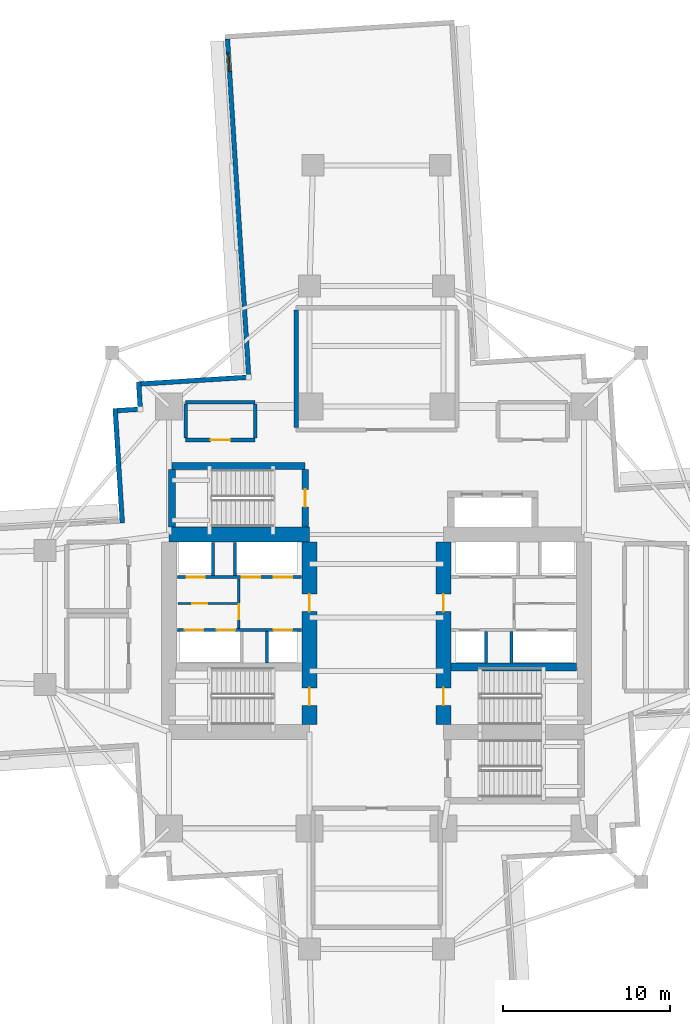
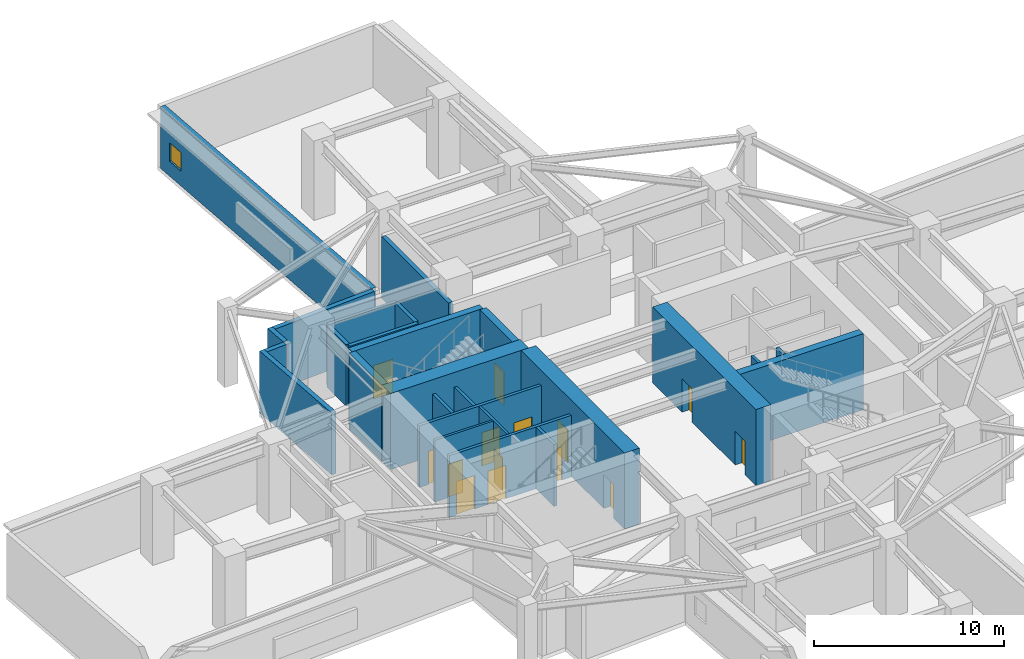
# One storey, part 4 of 11: 26 walls, 14 doors, 1 window, 15 openings.
"""IFC4 building model written with IfcOpenShell, lengths in metres."""

from ifc_helpers import new_model, si_unit, direction, frame, frame_2d, origin, place, context, subcontext, project, spatial, rectangle, extrude, material, layer, layer_set, type_object, element, fill, save


model = new_model("IFC4")

# Units and contexts
model_context = context("Model", 3, precision=1e-05, world=origin(), true_north=direction((0.0, 1.0)))
body_context = subcontext(model_context, "Body", "Model", "MODEL_VIEW")
ifc_project = project(units=[si_unit("LENGTHUNIT", "METRE"), si_unit("AREAUNIT", "SQUARE_METRE"), si_unit("VOLUMEUNIT", "CUBIC_METRE"), si_unit("PLANEANGLEUNIT", "RADIAN"), si_unit("MASSUNIT", "GRAM", prefix="KILO")], contexts=[model_context])

# Site, building, storey
site_placement = place(None, origin())
site = spatial("IfcSite", under=ifc_project, at=site_placement, CompositionType="ELEMENT")
building_placement = place(site_placement, origin())
building = spatial("IfcBuilding", under=site, at=building_placement, Name="Qingluan Cross Belvedere", CompositionType="ELEMENT")
storey_placement = place(building_placement, frame((0.0, 0.0, 47.10009765625)))
storey = spatial("IfcBuildingStorey", under=building, at=storey_placement, Name="L12", CompositionType="ELEMENT", Elevation=47.10009765625)

# Walls
ifc_material_1 = material(Name="Concrete C50", Category="concrete")
ifc_layer_1 = layer(ifc_material_1, 0.449951171875, Name="CoreShearWall_450")
ifc_layer_set_1 = layer_set([ifc_layer_1], Name="Concrete C50")
wall_type_1 = type_object("IfcWallType", Name="CoreShearWall_450", PredefinedType="SHEAR", material=ifc_layer_set_1)
wall_1_placement = place(storey_placement, frame((4.455078125, -2.9599609375, 0.0), z_axis=(0.0, 0.0, 1.0), x_axis=(1.0, 0.0, 0.0)))
element("IfcWall", 1, at=wall_1_placement, inside=storey, type_object=wall_type_1, Name="Split core E shear wall L12-M", PredefinedType="SHEAR", context=body_context, shape_type="SweptSolid", body=[
    extrude(rectangle(XDim=7.489990234375, YDim=0.449951171875, at=frame_2d((3.7451171875, 0.0))), origin(), (0.0, 0.0, 1.0), 4.89990234375),
])
wall_2_placement = place(storey_placement, frame((-12.219970703125, 9.0400390625, 0.0), z_axis=(0.0, 0.0, 1.0), x_axis=(1.0, 0.0, 0.0)))
element("IfcWall", 2, at=wall_2_placement, inside=storey, type_object=wall_type_1, Name="Stair ST3 structural wall N L12", PredefinedType="SHEAR", context=body_context, shape_type="SweptSolid", body=[
    extrude(rectangle(XDim=7.9599609375, YDim=0.39990234375, at=frame_2d((3.97998046875, 0.0))), origin(), (0.0, 0.0, 1.0), 4.89990234375),
])
wall_3_placement = place(storey_placement, frame((-12.219970703125, 5.405029296875, 0.0), z_axis=(0.0, 0.0, 1.0), x_axis=(0.0, 1.0, 0.0)))
element("IfcWall", 3, at=wall_3_placement, inside=storey, type_object=wall_type_1, Name="Stair ST3 structural wall W L12", PredefinedType="SHEAR", context=body_context, shape_type="SweptSolid", body=[
    extrude(rectangle(XDim=3.429931640625, YDim=0.39990234375, at=frame_2d((1.71484375, 0.0))), origin(), (0.0, 0.0, 1.0), 4.89990234375),
])

# Wall, opening, door
wall_4_placement = place(storey_placement, frame((-4.260009765625, 5.405029296875, 0.0), z_axis=(0.0, 0.0, 1.0), x_axis=(0.0, 1.0, 0.0)))
wall_4 = element("IfcWall", 4, at=wall_4_placement, inside=storey, type_object=wall_type_1, Name="Stair ST3 structural wall E L12", PredefinedType="SHEAR", context=body_context, shape_type="SweptSolid", body=[
    extrude(rectangle(XDim=3.429931640625, YDim=0.39990234375, at=frame_2d((1.71484375, 0.0))), origin(), (0.0, 0.0, 1.0), 4.89990234375),
])
opening_1_placement = place(wall_4_placement, frame((1.195068359375, 0.0, 0.0)))
opening_1 = element("IfcOpeningElement", 5, at=opening_1_placement, cuts=wall_4, Name="Opening FD-B11", PredefinedType="OPENING", context=body_context, shape_type="SweptSolid", body=[
    extrude(rectangle(XDim=1.050048828125, YDim=2.14990234375, at=frame_2d((0.52490234375, 1.074951171875))), frame((0.0, 0.2099609375, 0.0), z_axis=(0.0, -1.0, 0.0), x_axis=(1.0, 0.0, 0.0)), (0.0, 0.0, 1.0), 0.419921875),
])
ifc_material_2 = material(Name="Steel Class B smoke-seal fire door", Category="steel")
door_type_1 = type_object("IfcDoorType", Name="StairLobbyFireDoor_FDB", OperationType="NOTDEFINED", PredefinedType="DOOR", material=ifc_material_2)
door_1_placement = place(opening_1_placement, origin())
door_1 = element("IfcDoor", 6, at=door_1_placement, inside=storey, type_object=door_type_1, Name="Smoke-proof stair ST3 fire door L12", OperationType="SINGLE_SWING_RIGHT", OverallHeight=2.14990234375, OverallWidth=1.050048828125, PredefinedType="DOOR", context=body_context, shape_type="SweptSolid", body=[
    extrude(rectangle(XDim=1.050048828125, YDim=2.14990234375, at=frame_2d((0.52490234375, 1.074951171875))), frame((0.0, 0.02490234375, 0.0), z_axis=(0.0, -1.0, 0.0), x_axis=(1.0, 0.0, 0.0)), (0.0, 0.0, 1.0), 0.050048828125),
])
fill(opening_1, door_1)

# Wall
ifc_material_3 = material(Name="Concrete C70", Category="concrete")
ifc_layer_2 = layer(ifc_material_3, 0.89990234375, Name="CoreShearWall_900")
ifc_layer_set_2 = layer_set([ifc_layer_2], Name="Concrete C70")
wall_type_2 = type_object("IfcWallType", Name="CoreShearWall_900", PredefinedType="SHEAR", material=ifc_layer_set_2)
wall_5_placement = place(storey_placement, frame((-12.39990234375, 4.949951171875, 0.0), z_axis=(0.0, 0.0, 1.0), x_axis=(1.0, 0.0, 0.0)))
element("IfcWall", 7, at=wall_5_placement, inside=storey, type_object=wall_type_2, Name="Split core W shear wall L12-N", PredefinedType="SHEAR", context=body_context, shape_type="SweptSolid", body=[
    extrude(rectangle(XDim=8.39990234375, YDim=0.89990234375, at=frame_2d((4.199951171875, 0.0))), origin(), (0.0, 0.0, 1.0), 4.89990234375),
])

# Wall, openings, doors
wall_6_placement = place(storey_placement, frame((-4.0, -6.39501953125, 0.0), z_axis=(0.0, 0.0, 1.0), x_axis=(0.0, 1.0, 0.0)))
wall_6 = element("IfcWall", 8, at=wall_6_placement, inside=storey, type_object=wall_type_2, Name="Split core W shear wall L12-E", PredefinedType="SHEAR", context=body_context, shape_type="SweptSolid", body=[
    extrude(rectangle(XDim=10.89013671875, YDim=0.89990234375, at=frame_2d((5.445068359375, 0.0))), origin(), (0.0, 0.0, 1.0), 4.89990234375),
])
opening_2_placement = place(wall_6_placement, frame((1.14501953125, 0.0, 0.0)))
opening_2 = element("IfcOpeningElement", 9, at=opening_2_placement, cuts=wall_6, Name="Opening FD-B11", PredefinedType="OPENING", context=body_context, shape_type="SweptSolid", body=[
    extrude(rectangle(XDim=1.050048828125, YDim=2.14990234375, at=frame_2d((0.52490234375, 1.074951171875))), frame((0.0, 0.4599609375, 0.0), z_axis=(0.0, -1.0, 0.0), x_axis=(1.0, 0.0, 0.0)), (0.0, 0.0, 1.0), 0.919921875),
])
opening_3_placement = place(wall_6_placement, frame((6.7451171875, 0.0, 0.0)))
opening_3 = element("IfcOpeningElement", 10, at=opening_3_placement, cuts=wall_6, Name="Opening FD-B11", PredefinedType="OPENING", context=body_context, shape_type="SweptSolid", body=[
    extrude(rectangle(XDim=1.050048828125, YDim=2.14990234375, at=frame_2d((0.52490234375, 1.074951171875))), frame((0.0, 0.4599609375, 0.0), z_axis=(0.0, -1.0, 0.0), x_axis=(1.0, 0.0, 0.0)), (0.0, 0.0, 1.0), 0.919921875),
])
door_2_placement = place(opening_2_placement, origin())
door_2 = element("IfcDoor", 11, at=door_2_placement, inside=storey, type_object=door_type_1, Name="Smoke-proof stair ST1 fire door L12", OperationType="SINGLE_SWING_RIGHT", OverallHeight=2.14990234375, OverallWidth=1.050048828125, PredefinedType="DOOR", context=body_context, shape_type="SweptSolid", body=[
    extrude(rectangle(XDim=1.050048828125, YDim=2.14990234375, at=frame_2d((0.52490234375, 1.074951171875))), frame((0.0, 0.02490234375, 0.0), z_axis=(0.0, -1.0, 0.0), x_axis=(1.0, 0.0, 0.0)), (0.0, 0.0, 1.0), 0.050048828125),
])
fill(opening_2, door_2)
door_3_placement = place(opening_3_placement, origin())
door_3 = element("IfcDoor", 12, at=door_3_placement, inside=storey, type_object=door_type_1, Name="Firefighting lobby West fire door L12", OperationType="SINGLE_SWING_RIGHT", OverallHeight=2.14990234375, OverallWidth=1.050048828125, PredefinedType="DOOR", context=body_context, shape_type="SweptSolid", body=[
    extrude(rectangle(XDim=1.050048828125, YDim=2.14990234375, at=frame_2d((0.52490234375, 1.074951171875))), frame((0.0, 0.02490234375, 0.0), z_axis=(0.0, -1.0, 0.0), x_axis=(1.0, 0.0, 0.0)), (0.0, 0.0, 1.0), 0.050048828125),
])
fill(opening_3, door_3)

wall_7_placement = place(storey_placement, frame((4.0, -6.39501953125, 0.0), z_axis=(0.0, 0.0, 1.0), x_axis=(0.0, 1.0, 0.0)))
wall_7 = element("IfcWall", 13, at=wall_7_placement, inside=storey, type_object=wall_type_2, Name="Split core E shear wall L12-W", PredefinedType="SHEAR", context=body_context, shape_type="SweptSolid", body=[
    extrude(rectangle(XDim=10.89013671875, YDim=0.89990234375, at=frame_2d((5.445068359375, 0.0))), origin(), (0.0, 0.0, 1.0), 4.89990234375),
])
opening_4_placement = place(wall_7_placement, frame((1.14501953125, 0.0, 0.0)))
opening_4 = element("IfcOpeningElement", 14, at=opening_4_placement, cuts=wall_7, Name="Opening FD-B11", PredefinedType="OPENING", context=body_context, shape_type="SweptSolid", body=[
    extrude(rectangle(XDim=1.050048828125, YDim=2.14990234375, at=frame_2d((0.52490234375, 1.074951171875))), frame((0.0, 0.4599609375, 0.0), z_axis=(0.0, -1.0, 0.0), x_axis=(1.0, 0.0, 0.0)), (0.0, 0.0, 1.0), 0.919921875),
])
opening_5_placement = place(wall_7_placement, frame((6.7451171875, 0.0, 0.0)))
opening_5 = element("IfcOpeningElement", 15, at=opening_5_placement, cuts=wall_7, Name="Opening FD-B11", PredefinedType="OPENING", context=body_context, shape_type="SweptSolid", body=[
    extrude(rectangle(XDim=1.050048828125, YDim=2.14990234375, at=frame_2d((0.52490234375, 1.074951171875))), frame((0.0, 0.4599609375, 0.0), z_axis=(0.0, -1.0, 0.0), x_axis=(1.0, 0.0, 0.0)), (0.0, 0.0, 1.0), 0.919921875),
])
door_4_placement = place(opening_4_placement, origin())
door_4 = element("IfcDoor", 16, at=door_4_placement, inside=storey, type_object=door_type_1, Name="Smoke-proof stair ST2 fire door L12", OperationType="SINGLE_SWING_LEFT", OverallHeight=2.14990234375, OverallWidth=1.050048828125, PredefinedType="DOOR", context=body_context, shape_type="SweptSolid", body=[
    extrude(rectangle(XDim=1.050048828125, YDim=2.14990234375, at=frame_2d((0.52490234375, 1.074951171875))), frame((0.0, 0.02490234375, 0.0), z_axis=(0.0, -1.0, 0.0), x_axis=(1.0, 0.0, 0.0)), (0.0, 0.0, 1.0), 0.050048828125),
])
fill(opening_4, door_4)
door_5_placement = place(opening_5_placement, origin())
door_5 = element("IfcDoor", 17, at=door_5_placement, inside=storey, type_object=door_type_1, Name="Firefighting lobby East fire door L12", OperationType="SINGLE_SWING_LEFT", OverallHeight=2.14990234375, OverallWidth=1.050048828125, PredefinedType="DOOR", context=body_context, shape_type="SweptSolid", body=[
    extrude(rectangle(XDim=1.050048828125, YDim=2.14990234375, at=frame_2d((0.52490234375, 1.074951171875))), frame((0.0, 0.02490234375, 0.0), z_axis=(0.0, -1.0, 0.0), x_axis=(1.0, 0.0, 0.0)), (0.0, 0.0, 1.0), 0.050048828125),
])
fill(opening_5, door_5)

# Wall, opening, door
ifc_material_4 = material(Name="Gypsum plasterboard on steel stud acoustic partition", Category="steel")
ifc_layer_3 = layer(ifc_material_4, 0.159912109375, Name="CorridorPartition_160")
ifc_layer_set_3 = layer_set([ifc_layer_3], Name="Gypsum plasterboard on steel stud acoustic partition")
wall_type_3 = type_object("IfcWallType", Name="CorridorPartition_160", PredefinedType="PARTITIONING", material=ifc_layer_set_3)
wall_8_placement = place(storey_placement, frame((-11.85009765625, 0.830078125, 0.0), z_axis=(0.0, 0.0, 1.0), x_axis=(1.0, 0.0, 0.0)))
wall_8 = element("IfcWall", 18, at=wall_8_placement, inside=storey, type_object=wall_type_3, Name="Partition L12:w", PredefinedType="PARTITIONING", context=body_context, shape_type="SweptSolid", body=[
    extrude(rectangle(XDim=3.552001953125, YDim=0.139892578125, at=frame_2d((1.77587890625, 0.0))), origin(), (0.0, 0.0, 1.0), 3.969970703125),
])
opening_6_placement = place(wall_8_placement, frame((0.85009765625, 0.0, 0.0)))
opening_6 = element("IfcOpeningElement", 19, at=opening_6_placement, cuts=wall_8, Name="Opening FD-B10", PredefinedType="OPENING", context=body_context, shape_type="SweptSolid", body=[
    extrude(rectangle(XDim=0.8798828125, YDim=2.10009765625, at=frame_2d((0.43994140625, 1.050048828125))), frame((0.0, 0.079833984375, 0.0), z_axis=(0.0, -1.0, 0.0), x_axis=(1.0, 0.0, 0.0)), (0.0, 0.0, 1.0), 0.159912109375),
])
ifc_material_5 = material(Name="Steel Class B service fire door", Category="steel")
door_type_2 = type_object("IfcDoorType", Name="RiserServiceFireDoor_FDB", OperationType="NOTDEFINED", PredefinedType="DOOR", material=ifc_material_5)
door_6_placement = place(opening_6_placement, origin())
door_6 = element("IfcDoor", 20, at=door_6_placement, inside=storey, type_object=door_type_2, Name="Service closet inner door L12", OperationType="SINGLE_SWING_RIGHT", OverallHeight=2.10009765625, OverallWidth=0.8798828125, PredefinedType="DOOR", context=body_context, shape_type="SweptSolid", body=[
    extrude(rectangle(XDim=0.8798828125, YDim=2.10009765625, at=frame_2d((0.43994140625, 1.050048828125))), frame((0.0, 0.02490234375, 0.0), z_axis=(0.0, -1.0, 0.0), x_axis=(1.0, 0.0, 0.0)), (0.0, 0.0, 1.0), 0.050048828125),
])
fill(opening_6, door_6)

wall_9_placement = place(storey_placement, frame((-11.39990234375, 10.60009765625, 0.0), z_axis=(0.0, 0.0, 1.0), x_axis=(1.0, 0.0, 0.0)))
wall_9 = element("IfcWall", 21, at=wall_9_placement, inside=storey, type_object=wall_type_3, Name="Partition L12:refuge_nw:S", PredefinedType="PARTITIONING", context=body_context, shape_type="SweptSolid", body=[
    extrude(rectangle(XDim=4.14990234375, YDim=0.219970703125, at=frame_2d((2.074951171875, 0.0))), origin(), (0.0, 0.0, 1.0), 3.969970703125),
])
opening_7_placement = place(wall_9_placement, frame((1.47509765625, 0.0, 0.0)))
opening_7 = element("IfcOpeningElement", 22, at=opening_7_placement, cuts=wall_9, Name="Opening FD-A12", PredefinedType="OPENING", context=body_context, shape_type="SweptSolid", body=[
    extrude(rectangle(XDim=1.199951171875, YDim=2.14990234375, at=frame_2d((0.60009765625, 1.074951171875))), frame((0.0, 0.119873046875, 0.0), z_axis=(0.0, -1.0, 0.0), x_axis=(1.0, 0.0, 0.0)), (0.0, 0.0, 1.0), 0.239990234375),
])
ifc_material_6 = material(Name="Insulated steel Class A fire door", Category="steel")
door_type_3 = type_object("IfcDoorType", Name="RefugeCompartmentDoor_FDA", OperationType="NOTDEFINED", PredefinedType="DOOR", material=ifc_material_6)
door_7_placement = place(opening_7_placement, origin())
door_7 = element("IfcDoor", 23, at=door_7_placement, inside=storey, type_object=door_type_3, Name="Fire refuge bay Northwest L12 door", OperationType="SINGLE_SWING_RIGHT", OverallHeight=2.14990234375, OverallWidth=1.199951171875, PredefinedType="DOOR", context=body_context, shape_type="SweptSolid", body=[
    extrude(rectangle(XDim=1.199951171875, YDim=2.14990234375, at=frame_2d((0.60009765625, 1.074951171875))), frame((0.0, 0.02490234375, 0.0), z_axis=(0.0, -1.0, 0.0), x_axis=(1.0, 0.0, 0.0)), (0.0, 0.0, 1.0), 0.050048828125),
])
fill(opening_7, door_7)

# Walls
wall_10_placement = place(storey_placement, frame((-11.39990234375, 12.85009765625, 0.0), z_axis=(0.0, 0.0, 1.0), x_axis=(1.0, 0.0, 0.0)))
element("IfcWall", 24, at=wall_10_placement, inside=storey, type_object=wall_type_3, Name="Partition L12:refuge_nw:N", PredefinedType="PARTITIONING", context=body_context, shape_type="SweptSolid", body=[
    extrude(rectangle(XDim=4.14990234375, YDim=0.219970703125, at=frame_2d((2.074951171875, 0.0))), origin(), (0.0, 0.0, 1.0), 3.969970703125),
])
for number, where, z_axis, x_axis, name in (
    (25, (-11.39990234375, 10.715087890625, 0.0), (0.0, 0.0, 1.0), (0.0, 1.0, 0.0), "Partition L12:refuge_nw:W"),
    (26, (-7.25, 10.715087890625, 0.0), (0.0, 0.0, 1.0), (0.0, 1.0, 0.0), "Partition L12:refuge_nw:E"),
):
    element("IfcWall", number, at=place(storey_placement, frame(where, z_axis=z_axis, x_axis=x_axis)), inside=storey, type_object=wall_type_3, Name=name, PredefinedType="PARTITIONING", context=body_context, shape_type="SweptSolid", body=[
        extrude(rectangle(XDim=2.02001953125, YDim=0.219970703125, at=frame_2d((1.010009765625, 0.0))), origin(), (0.0, 0.0, 1.0), 3.969970703125),
    ])
ifc_material_7 = material(Name="Concrete C40", Category="concrete")
ifc_layer_4 = layer(ifc_material_7, 0.300048828125, Name="FireCompartmentWall_300")
ifc_layer_set_4 = layer_set([ifc_layer_4], Name="Concrete C40")
wall_type_4 = type_object("IfcWallType", Name="FireCompartmentWall_300", PredefinedType="SOLIDWALL", material=ifc_layer_set_4)
wall_11_placement = place(storey_placement, frame((-4.800048828125, 11.330078125, 0.0), z_axis=(0.0, 0.0, 1.0), x_axis=(0.0, 1.0, 0.0)))
element("IfcWall", 27, at=wall_11_placement, inside=storey, type_object=wall_type_4, Name="Partition L12:refuge_n:W", PredefinedType="SOLIDWALL", context=body_context, shape_type="SweptSolid", body=[
    extrude(rectangle(XDim=7.0400390625, YDim=0.25, at=frame_2d((3.52001953125, 0.0))), origin(), (0.0, 0.0, 1.0), 3.969970703125),
])

# Wall, opening, window
ifc_material_8 = material(Name="Precast concrete C45", Category="concrete")
ifc_layer_5 = layer(ifc_material_8, 0.280029296875, Name="PrecastFacadeWall_280")
ifc_layer_set_5 = layer_set([ifc_layer_5], Name="Precast concrete C45")
wall_type_5 = type_object("IfcWallType", Name="PrecastFacadeWall_280", PredefinedType="STANDARD", material=ifc_layer_set_5)
wall_12_placement = place(storey_placement, frame((-8.906982421875, 34.548828125, 0.0), z_axis=(0.0, 0.0, 1.0), x_axis=(0.06279645424, -0.99802635503, 0.0)))
wall_12 = element("IfcWall", 28, at=wall_12_placement, inside=storey, type_object=wall_type_5, Name="Facade wall L12-NB", PredefinedType="STANDARD", context=body_context, shape_type="SweptSolid", body=[
    extrude(rectangle(XDim=20.099853515625, YDim=0.280029296875, at=frame_2d((10.0498046875, 0.0))), origin(), (0.0, 0.0, 1.0), 3.97998046875),
])
opening_8_placement = place(wall_12_placement, frame((0.85009765625, 0.0, 0.949951171875)))
opening_8 = element("IfcOpeningElement", 29, at=opening_8_placement, cuts=wall_12, Name="Opening W-07", PredefinedType="OPENING", context=body_context, shape_type="SweptSolid", body=[
    extrude(rectangle(XDim=1.10009765625, YDim=1.199951171875, at=frame_2d((0.550048828125, 0.60009765625))), frame((0.0, 0.14990234375, 0.0), z_axis=(0.0, -1.0, 0.0), x_axis=(1.0, 0.0, 0.0)), (0.0, 0.0, 1.0), 0.300048828125),
])
ifc_material_9 = material(Name="Thermally broken triple Low-E glass in aluminium frame", Category="aluminium")
window_type = type_object("IfcWindowType", Name="RefugeSmokeWin_1100x1200", PartitioningType="SINGLE_PANEL", PredefinedType="WINDOW", material=ifc_material_9)
window_placement = place(opening_8_placement, origin())
window = element("IfcWindow", 30, at=window_placement, inside=storey, type_object=window_type, Name="Refuge operable smoke window L12-NB", OverallHeight=1.199951171875, OverallWidth=1.10009765625, PartitioningType="SINGLE_PANEL", PredefinedType="WINDOW", context=body_context, shape_type="SweptSolid", body=[
    extrude(rectangle(XDim=1.10009765625, YDim=1.199951171875, at=frame_2d((0.550048828125, 0.60009765625))), frame((0.0, 0.030029296875, 0.0), z_axis=(0.0, -1.0, 0.0), x_axis=(1.0, 0.0, 0.0)), (0.0, 0.0, 1.0), 0.06005859375),
])
fill(opening_8, window)

# Walls
wall_13_placement = place(storey_placement, frame((-15.18408203125, 5.6376953125, 0.0), z_axis=(0.0, 0.0, 1.0), x_axis=(-0.062779317195, 0.998027433156, 0.0)))
element("IfcWall", 31, at=wall_13_placement, inside=storey, type_object=wall_type_5, Name="Corner wall L12-NW1", PredefinedType="STANDARD", context=body_context, shape_type="SweptSolid", body=[
    extrude(rectangle(XDim=6.85986328125, YDim=0.280029296875, at=frame_2d((3.429931640625, 0.0))), origin(), (0.0, 0.0, 1.0), 3.97998046875),
])
wall_14_placement = place(storey_placement, frame((-15.46630859375, 12.353271484375, 0.0), z_axis=(0.0, 0.0, 1.0), x_axis=(0.998024450254, 0.062826719603, 0.0)))
element("IfcWall", 32, at=wall_14_placement, inside=storey, type_object=wall_type_5, Name="Corner wall L12-NW2", PredefinedType="STANDARD", context=body_context, shape_type="SweptSolid", body=[
    extrude(rectangle(XDim=1.22021484375, YDim=0.280029296875, at=frame_2d((0.610107421875, 0.0))), origin(), (0.0, 0.0, 1.0), 3.97998046875),
])
wall_15_placement = place(storey_placement, frame((-14.11767578125, 12.578369140625, 0.0), z_axis=(0.0, 0.0, 1.0), x_axis=(-0.062824119533, 0.998024613927, 0.0)))
element("IfcWall", 33, at=wall_15_placement, inside=storey, type_object=wall_type_5, Name="Corner wall L12-NW3", PredefinedType="STANDARD", context=body_context, shape_type="SweptSolid", body=[
    extrude(rectangle(XDim=1.5, YDim=0.280029296875, at=frame_2d((0.75, 0.0))), origin(), (0.0, 0.0, 1.0), 3.97998046875),
])
wall_16_placement = place(storey_placement, frame((-14.063232421875, 13.944580078125, 0.0), z_axis=(0.0, 0.0, 1.0), x_axis=(0.998027314704, 0.062781200242, 0.0)))
element("IfcWall", 34, at=wall_16_placement, inside=storey, type_object=wall_type_5, Name="Corner wall L12-NW4", PredefinedType="STANDARD", context=body_context, shape_type="SweptSolid", body=[
    extrude(rectangle(XDim=6.2998046875, YDim=0.280029296875, at=frame_2d((3.14990234375, 0.0))), origin(), (0.0, 0.0, 1.0), 3.97998046875),
])

# Wall, openings, doors
ifc_material_10 = material(Name="Concrete C40", Category="concrete")
ifc_layer_6 = layer(ifc_material_10, 0.219970703125, Name="ShaftEnclosureWall_250")
ifc_layer_set_6 = layer_set([ifc_layer_6], Name="Concrete C40")
wall_type_6 = type_object("IfcWallType", Name="ShaftEnclosureWall_250", PredefinedType="SOLIDWALL", material=ifc_layer_set_6)
wall_17_placement = place(storey_placement, frame((-11.89990234375, 2.409912109375, 0.0), z_axis=(0.0, 0.0, 1.0), x_axis=(1.0, 0.0, 0.0)))
wall_17 = element("IfcWall", 35, at=wall_17_placement, inside=storey, type_object=wall_type_6, Name="Core-W north hoistway wall L12", PredefinedType="SOLIDWALL", context=body_context, shape_type="SweptSolid", body=[
    extrude(rectangle(XDim=7.419921875, YDim=0.179931640625, at=frame_2d((3.7099609375, 0.0))), origin(), (0.0, 0.0, 1.0), 3.969970703125),
])
opening_9_placement = place(wall_17_placement, frame((0.550048828125, 0.0, 0.0)))
opening_9 = element("IfcOpeningElement", 36, at=opening_9_placement, cuts=wall_17, Name="Opening LD-11", PredefinedType="OPENING", context=body_context, shape_type="SweptSolid", body=[
    extrude(rectangle(XDim=1.10009765625, YDim=2.14990234375, at=frame_2d((0.550048828125, 1.074951171875))), frame((0.0, 0.099853515625, 0.0), z_axis=(0.0, -1.0, 0.0), x_axis=(1.0, 0.0, 0.0)), (0.0, 0.0, 1.0), 0.199951171875),
])
opening_10_placement = place(wall_17_placement, frame((3.85009765625, 0.0, 0.0)))
opening_10 = element("IfcOpeningElement", 37, at=opening_10_placement, cuts=wall_17, Name="Opening LD-11", PredefinedType="OPENING", context=body_context, shape_type="SweptSolid", body=[
    extrude(rectangle(XDim=1.10009765625, YDim=2.14990234375, at=frame_2d((0.550048828125, 1.074951171875))), frame((0.0, 0.099853515625, 0.0), z_axis=(0.0, -1.0, 0.0), x_axis=(1.0, 0.0, 0.0)), (0.0, 0.0, 1.0), 0.199951171875),
])
opening_11_placement = place(wall_17_placement, frame((5.75, 0.0, 0.0)))
opening_11 = element("IfcOpeningElement", 38, at=opening_11_placement, cuts=wall_17, Name="Opening LD-11", PredefinedType="OPENING", context=body_context, shape_type="SweptSolid", body=[
    extrude(rectangle(XDim=1.10009765625, YDim=2.14990234375, at=frame_2d((0.550048828125, 1.074951171875))), frame((0.0, 0.099853515625, 0.0), z_axis=(0.0, -1.0, 0.0), x_axis=(1.0, 0.0, 0.0)), (0.0, 0.0, 1.0), 0.199951171875),
])
ifc_material_11 = material(Name="Brushed stainless steel centre-opening lift landing door", Category="steel")
door_type_4 = type_object("IfcDoorType", Name="LiftLandingSlidingDoor_1100", OperationType="DOUBLE_DOOR_SLIDING", PredefinedType="DOOR", material=ifc_material_11)
door_8_placement = place(opening_9_placement, origin())
door_8 = element("IfcDoor", 39, at=door_8_placement, inside=storey, type_object=door_type_4, Name="Lift landing sliding door FL1 L12", OperationType="DOUBLE_DOOR_SLIDING", OverallHeight=2.14990234375, OverallWidth=1.10009765625, PredefinedType="DOOR", context=body_context, shape_type="SweptSolid", body=[
    extrude(rectangle(XDim=1.10009765625, YDim=2.14990234375, at=frame_2d((0.550048828125, 1.074951171875))), frame((0.0, 0.02490234375, 0.0), z_axis=(0.0, -1.0, 0.0), x_axis=(1.0, 0.0, 0.0)), (0.0, 0.0, 1.0), 0.050048828125),
])
fill(opening_9, door_8)
door_9_placement = place(opening_10_placement, origin())
door_9 = element("IfcDoor", 40, at=door_9_placement, inside=storey, type_object=door_type_4, Name="Lift landing sliding door LP1 L12", OperationType="DOUBLE_DOOR_SLIDING", OverallHeight=2.14990234375, OverallWidth=1.10009765625, PredefinedType="DOOR", context=body_context, shape_type="SweptSolid", body=[
    extrude(rectangle(XDim=1.10009765625, YDim=2.14990234375, at=frame_2d((0.550048828125, 1.074951171875))), frame((0.0, 0.02490234375, 0.0), z_axis=(0.0, -1.0, 0.0), x_axis=(1.0, 0.0, 0.0)), (0.0, 0.0, 1.0), 0.050048828125),
])
fill(opening_10, door_9)
door_10_placement = place(opening_11_placement, origin())
door_10 = element("IfcDoor", 41, at=door_10_placement, inside=storey, type_object=door_type_4, Name="Lift landing sliding door LP2 L12", OperationType="DOUBLE_DOOR_SLIDING", OverallHeight=2.14990234375, OverallWidth=1.10009765625, PredefinedType="DOOR", context=body_context, shape_type="SweptSolid", body=[
    extrude(rectangle(XDim=1.10009765625, YDim=2.14990234375, at=frame_2d((0.550048828125, 1.074951171875))), frame((0.0, 0.02490234375, 0.0), z_axis=(0.0, -1.0, 0.0), x_axis=(1.0, 0.0, 0.0)), (0.0, 0.0, 1.0), 0.050048828125),
])
fill(opening_11, door_10)

wall_18_placement = place(storey_placement, frame((-11.89990234375, -0.75, 0.0), z_axis=(0.0, 0.0, 1.0), x_axis=(1.0, 0.0, 0.0)))
wall_18 = element("IfcWall", 42, at=wall_18_placement, inside=storey, type_object=wall_type_6, Name="Core-W mid hoistway wall L12", PredefinedType="SOLIDWALL", context=body_context, shape_type="SweptSolid", body=[
    extrude(rectangle(XDim=7.419921875, YDim=0.179931640625, at=frame_2d((3.7099609375, 0.0))), origin(), (0.0, 0.0, 1.0), 3.969970703125),
])
opening_12_placement = place(wall_18_placement, frame((0.449951171875, 0.0, 0.0)))
opening_12 = element("IfcOpeningElement", 43, at=opening_12_placement, cuts=wall_18, Name="Opening LD-11", PredefinedType="OPENING", context=body_context, shape_type="SweptSolid", body=[
    extrude(rectangle(XDim=1.10009765625, YDim=2.14990234375, at=frame_2d((0.550048828125, 1.074951171875))), frame((0.0, 0.099853515625, 0.0), z_axis=(0.0, -1.0, 0.0), x_axis=(1.0, 0.0, 0.0)), (0.0, 0.0, 1.0), 0.199951171875),
])
opening_13_placement = place(wall_18_placement, frame((2.35009765625, 0.0, 0.0)))
opening_13 = element("IfcOpeningElement", 44, at=opening_13_placement, cuts=wall_18, Name="Opening LD-11", PredefinedType="OPENING", context=body_context, shape_type="SweptSolid", body=[
    extrude(rectangle(XDim=1.10009765625, YDim=2.14990234375, at=frame_2d((0.550048828125, 1.074951171875))), frame((0.0, 0.099853515625, 0.0), z_axis=(0.0, -1.0, 0.0), x_axis=(1.0, 0.0, 0.0)), (0.0, 0.0, 1.0), 0.199951171875),
])
opening_14_placement = place(wall_18_placement, frame((5.75, 0.0, 0.0)))
opening_14 = element("IfcOpeningElement", 45, at=opening_14_placement, cuts=wall_18, Name="Opening LD-11", PredefinedType="OPENING", context=body_context, shape_type="SweptSolid", body=[
    extrude(rectangle(XDim=1.10009765625, YDim=2.14990234375, at=frame_2d((0.550048828125, 1.074951171875))), frame((0.0, 0.099853515625, 0.0), z_axis=(0.0, -1.0, 0.0), x_axis=(1.0, 0.0, 0.0)), (0.0, 0.0, 1.0), 0.199951171875),
])
door_11_placement = place(opening_12_placement, origin())
door_11 = element("IfcDoor", 46, at=door_11_placement, inside=storey, type_object=door_type_4, Name="Lift landing sliding door LP5 L12", OperationType="DOUBLE_DOOR_SLIDING", OverallHeight=2.14990234375, OverallWidth=1.10009765625, PredefinedType="DOOR", context=body_context, shape_type="SweptSolid", body=[
    extrude(rectangle(XDim=1.10009765625, YDim=2.14990234375, at=frame_2d((0.550048828125, 1.074951171875))), frame((0.0, 0.02490234375, 0.0), z_axis=(0.0, -1.0, 0.0), x_axis=(1.0, 0.0, 0.0)), (0.0, 0.0, 1.0), 0.050048828125),
])
fill(opening_12, door_11)
door_12_placement = place(opening_13_placement, origin())
door_12 = element("IfcDoor", 47, at=door_12_placement, inside=storey, type_object=door_type_4, Name="Lift landing sliding door LP6 L12", OperationType="DOUBLE_DOOR_SLIDING", OverallHeight=2.14990234375, OverallWidth=1.10009765625, PredefinedType="DOOR", context=body_context, shape_type="SweptSolid", body=[
    extrude(rectangle(XDim=1.10009765625, YDim=2.14990234375, at=frame_2d((0.550048828125, 1.074951171875))), frame((0.0, 0.02490234375, 0.0), z_axis=(0.0, -1.0, 0.0), x_axis=(1.0, 0.0, 0.0)), (0.0, 0.0, 1.0), 0.050048828125),
])
fill(opening_13, door_12)
door_13_placement = place(opening_14_placement, origin())
door_13 = element("IfcDoor", 48, at=door_13_placement, inside=storey, type_object=door_type_4, Name="Lift landing sliding door LP8 L12", OperationType="DOUBLE_DOOR_SLIDING", OverallHeight=2.14990234375, OverallWidth=1.10009765625, PredefinedType="DOOR", context=body_context, shape_type="SweptSolid", body=[
    extrude(rectangle(XDim=1.10009765625, YDim=2.14990234375, at=frame_2d((0.550048828125, 1.074951171875))), frame((0.0, 0.02490234375, 0.0), z_axis=(0.0, -1.0, 0.0), x_axis=(1.0, 0.0, 0.0)), (0.0, 0.0, 1.0), 0.050048828125),
])
fill(opening_14, door_13)

# Walls
for number, where, z_axis, x_axis, name in (
    (49, (-9.760009765625, 2.5, 0.0), (0.0, 0.0, 1.0), (0.0, 1.0, 0.0), "Hoistway enclosure divider FL1E L12"),
    (50, (-8.43994140625, 2.5, 0.0), (0.0, 0.0, 1.0), (0.0, 1.0, 0.0), "Hoistway enclosure divider LP1W L12"),
):
    element("IfcWall", number, at=place(storey_placement, frame(where, z_axis=z_axis, x_axis=x_axis)), inside=storey, type_object=wall_type_6, Name=name, PredefinedType="SOLIDWALL", context=body_context, shape_type="SweptSolid", body=[
        extrude(rectangle(XDim=1.989990234375, YDim=0.179931640625, at=frame_2d((0.9951171875, 0.0))), origin(), (0.0, 0.0, 1.0), 3.969970703125),
    ])
for number, where, z_axis, x_axis, name in (
    (51, (-6.5400390625, -2.72998046875, 0.0), (0.0, 0.0, 1.0), (0.0, 1.0, 0.0), "Hoistway enclosure divider LP8W L12"),
    (52, (6.5400390625, -2.72998046875, 0.0), (0.0, 0.0, 1.0), (0.0, 1.0, 0.0), "Hoistway enclosure divider LP7E L12"),
    (53, (8.06005859375, -2.72998046875, 0.0), (0.0, 0.0, 1.0), (0.0, 1.0, 0.0), "Hoistway enclosure divider LP9W L12"),
):
    element("IfcWall", number, at=place(storey_placement, frame(where, z_axis=z_axis, x_axis=x_axis)), inside=storey, type_object=wall_type_6, Name=name, PredefinedType="SOLIDWALL", context=body_context, shape_type="SweptSolid", body=[
        extrude(rectangle(XDim=1.889892578125, YDim=0.179931640625, at=frame_2d((0.94482421875, 0.0))), origin(), (0.0, 0.0, 1.0), 3.969970703125),
    ])

# Wall, opening, door
wall_19_placement = place(storey_placement, frame((-8.219970703125, -0.64990234375, 0.0), z_axis=(0.0, 0.0, 1.0), x_axis=(0.0, 1.0, 0.0)))
wall_19 = element("IfcWall", 54, at=wall_19_placement, inside=storey, type_object=wall_type_6, Name="Core-W service corridor wall L12", PredefinedType="SOLIDWALL", context=body_context, shape_type="SweptSolid", body=[
    extrude(rectangle(XDim=2.9599609375, YDim=0.139892578125, at=frame_2d((1.47998046875, 0.0))), origin(), (0.0, 0.0, 1.0), 3.969970703125),
])
opening_15_placement = place(wall_19_placement, frame((0.550048828125, 0.0, 0.0)))
opening_15 = element("IfcOpeningElement", 55, at=opening_15_placement, cuts=wall_19, Name="Opening FD-B10", PredefinedType="OPENING", context=body_context, shape_type="SweptSolid", body=[
    extrude(rectangle(XDim=0.8798828125, YDim=2.10009765625, at=frame_2d((0.43994140625, 1.050048828125))), frame((0.0, 0.079833984375, 0.0), z_axis=(0.0, -1.0, 0.0), x_axis=(1.0, 0.0, 0.0)), (0.0, 0.0, 1.0), 0.159912109375),
])
door_14_placement = place(opening_15_placement, origin())
door_14 = element("IfcDoor", 56, at=door_14_placement, inside=storey, type_object=door_type_2, Name="Core-W service room door L12", OperationType="SINGLE_SWING_RIGHT", OverallHeight=2.10009765625, OverallWidth=0.8798828125, PredefinedType="DOOR", context=body_context, shape_type="SweptSolid", body=[
    extrude(rectangle(XDim=0.8798828125, YDim=2.10009765625, at=frame_2d((0.43994140625, 1.050048828125))), frame((0.0, 0.02490234375, 0.0), z_axis=(0.0, -1.0, 0.0), x_axis=(1.0, 0.0, 0.0)), (0.0, 0.0, 1.0), 0.050048828125),
])
fill(opening_15, door_14)

save(model, "model.ifc")
